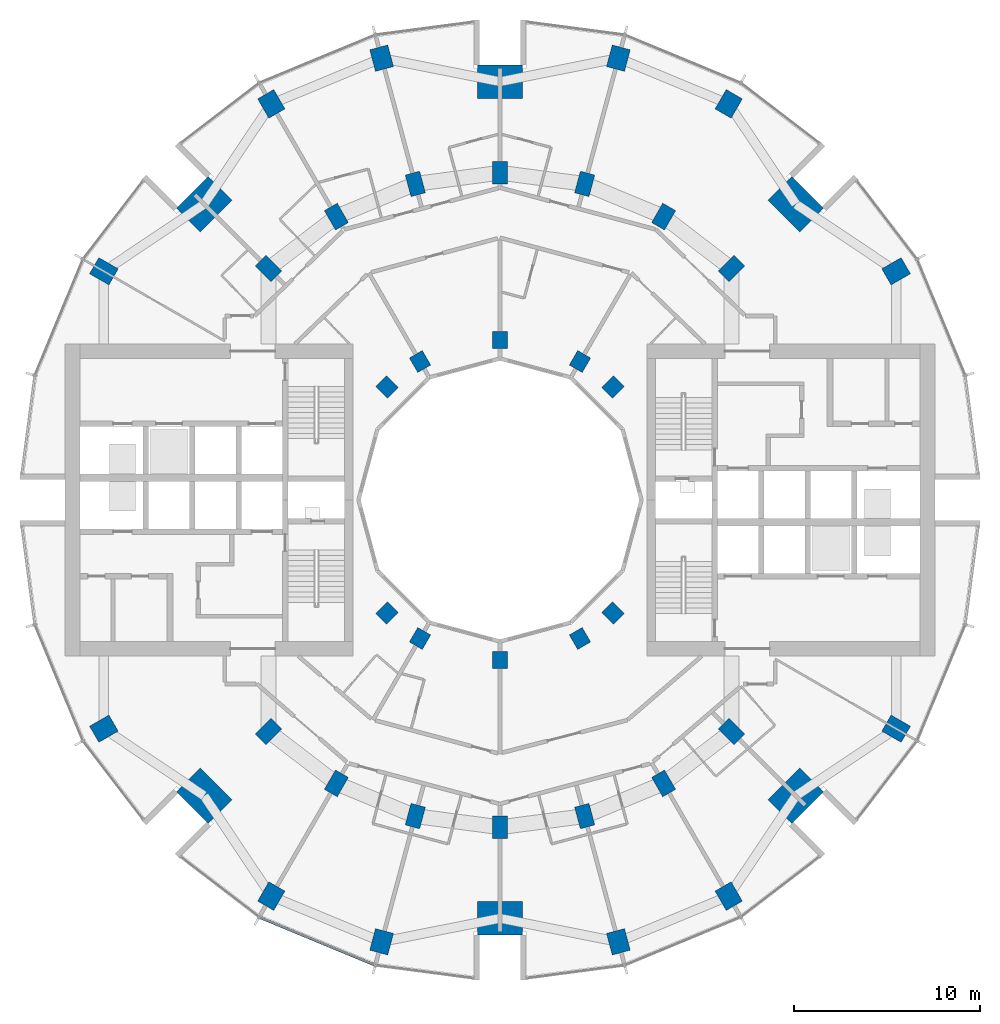
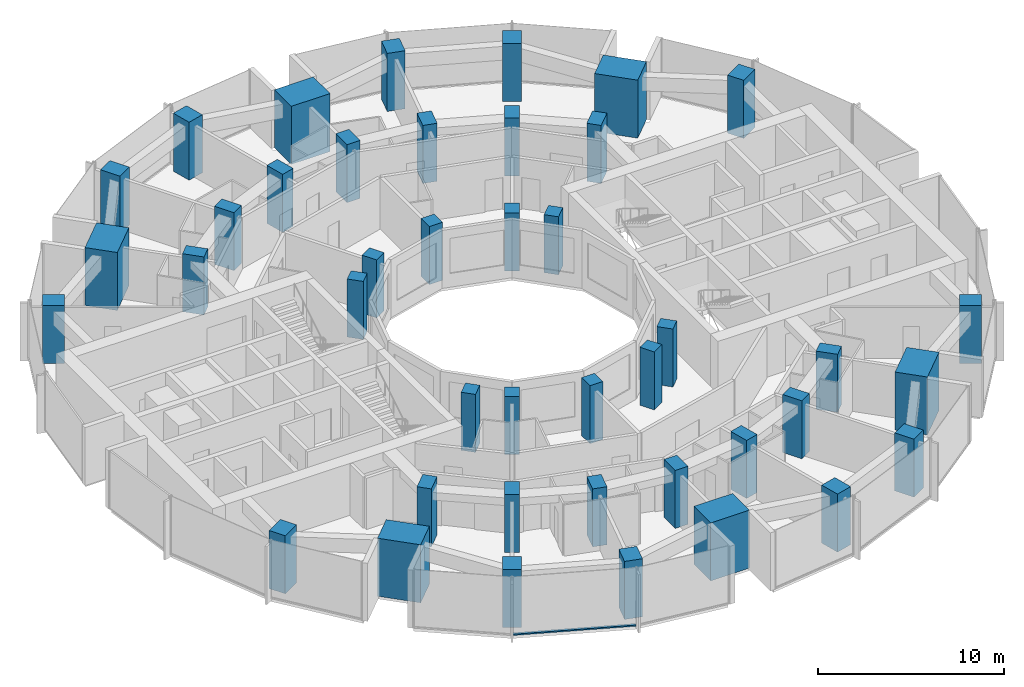
# One storey, part 1 of 15: 42 columns, 1 member, 1 element without a shape of its own.
"""IFC4 building model written with IfcOpenShell, lengths in metres."""

import ifcopenshell
import ifcopenshell.guid

model = None  # the IFC model being written
_history = None  # IfcOwnerHistory: only IFC2X3 demands one
_inside = {}  # id of a spatial element -> (the spatial element, [elements in it])
_under = {}  # id of a project, library or spatial element -> (it, [spatial elements below it])
_declared = {}  # id of a project -> (the project, [libraries it declares])
_typed = {}  # id of a type object -> (the type object, [elements of that type])
_made_of = {}  # id of a material, layer set ... -> (it, [elements and type objects made of it])


def new_model(schema):
    """Start an empty IFC model of exactly this schema.

    Asked for "IFC4X3", IfcOpenShell would pick the latest addendum, in which some entities
    have other attributes; the version numbers below select the first issue.
    IFC2X3 requires an IfcOwnerHistory on every rooted entity: one is made here for all.
    """
    global model, _history
    if schema == "IFC4X3":
        model = ifcopenshell.file(schema_version=(4, 3, 0, 0))
    else:
        model = ifcopenshell.file(schema=schema)
    _inside.clear()
    _under.clear()
    _declared.clear()
    _typed.clear()
    _made_of.clear()
    _history = None
    if model.schema == "IFC2X3":
        org = make("IfcOrganization", Name="unknown")
        user = make(
            "IfcPersonAndOrganization",
            ThePerson=make("IfcPerson", FamilyName="unknown"),
            TheOrganization=org,
        )
        app = make(
            "IfcApplication",
            ApplicationDeveloper=org,
            Version="unknown",
            ApplicationFullName="unknown",
            ApplicationIdentifier="unknown",
        )
        _history = make(
            "IfcOwnerHistory",
            OwningUser=user,
            OwningApplication=app,
            ChangeAction="ADDED",
            CreationDate=0,
        )
    return model


def make(cls, **values):
    """One entity of the class cls with the attributes given. An attribute that is None is left unset."""
    return model.create_entity(
        cls, **{name: value for name, value in values.items() if value is not None}
    )


def rooted(cls, **values):
    """An entity with a GlobalId (a new one), such as an element, a storey or a relation."""
    return make(cls, GlobalId=ifcopenshell.guid.new(), OwnerHistory=_history, **values)


def si_unit(unit_type, name, prefix=None):
    """IfcSIUnit, for example si_unit("LENGTHUNIT", "METRE", prefix="MILLI")."""
    return make("IfcSIUnit", UnitType=unit_type, Prefix=prefix, Name=name)


def assignment(units):
    """IfcUnitAssignment: the units of a project."""
    return None if units is None else make("IfcUnitAssignment", Units=units)


def point(xyz):
    """IfcCartesianPoint."""
    return None if xyz is None else make("IfcCartesianPoint", Coordinates=xyz)


def direction(xyz):
    """IfcDirection."""
    return None if xyz is None else make("IfcDirection", DirectionRatios=xyz)


def frame(location, z_axis=None, x_axis=None):
    """IfcAxis2Placement3D, a coordinate frame: its origin and axes. An axis left out is left unset."""
    return make(
        "IfcAxis2Placement3D",
        Location=point(location),
        Axis=direction(z_axis),
        RefDirection=direction(x_axis),
    )


def frame_2d(location, x_axis=None):
    """IfcAxis2Placement2D, a coordinate frame in the plane: its origin and x axis."""
    return make(
        "IfcAxis2Placement2D", Location=point(location), RefDirection=direction(x_axis)
    )


def origin():
    """The frame at (0, 0, 0) with its axes left unset."""
    return frame((0.0, 0.0, 0.0))


def origin_2d():
    """The frame at (0, 0) in the plane with its x axis left unset."""
    return frame_2d((0.0, 0.0))


def place(relative_to, where):
    """IfcLocalPlacement: puts the frame where relative to a parent placement (None: the world)."""
    return make(
        "IfcLocalPlacement", PlacementRelTo=relative_to, RelativePlacement=where
    )


def context(
    kind, dimensions, precision=None, world=None, true_north=None, identifier=None
):
    """IfcGeometricRepresentationContext, for example the 3D "Model" context."""
    return make(
        "IfcGeometricRepresentationContext",
        ContextIdentifier=identifier,
        ContextType=kind,
        CoordinateSpaceDimension=dimensions,
        Precision=precision,
        WorldCoordinateSystem=world,
        TrueNorth=true_north,
    )


def subcontext(parent, identifier, kind, view, scale=None):
    """IfcGeometricRepresentationSubContext, for example "Body" below "Model"."""
    return make(
        "IfcGeometricRepresentationSubContext",
        ContextIdentifier=identifier,
        ContextType=kind,
        ParentContext=parent,
        TargetScale=scale,
        TargetView=view,
    )


def project(units=None, contexts=None):
    """IfcProject with its units and contexts."""
    return rooted(
        "IfcProject",
        Name="project",
        RepresentationContexts=contexts,
        UnitsInContext=assignment(units),
    )


def spatial(cls, under=None, at=None, **own):
    """A site, building, storey or space (cls), placed at a placement, below another one or the project."""
    s = rooted(cls, ObjectPlacement=at, **own)
    if under is not None:
        _under.setdefault(under.id(), (under, []))[1].append(s)
    return s


def profile(cls, at=None, kind="AREA", **sizes):
    """A parametric profile (cls). Its sizes go by their IFC names, for example OverallWidth=200.0."""
    return make(cls, ProfileType=kind, Position=at, **sizes)


def rectangle(**sizes):
    """IfcRectangleProfileDef."""
    return profile("IfcRectangleProfileDef", **sizes)


def extrude(swept, where, along, depth):
    """IfcExtrudedAreaSolid: the profile swept, set in the frame where, extruded along a direction by depth."""
    return make(
        "IfcExtrudedAreaSolid",
        SweptArea=swept,
        Position=where,
        ExtrudedDirection=direction(along),
        Depth=depth,
    )


def shape(context_of_items, identifier, shape_type, items):
    """IfcShapeRepresentation: the items that make up one representation, for example the "Body"."""
    return make(
        "IfcShapeRepresentation",
        ContextOfItems=context_of_items,
        RepresentationIdentifier=identifier,
        RepresentationType=shape_type,
        Items=items,
    )


def material(Name=None, Category=None):
    """IfcMaterial."""
    return make("IfcMaterial", Name=Name, Category=Category)


def layer(
    of_material, thickness, ventilated=None, Name=None, Category=None, Priority=None
):
    """IfcMaterialLayer: one layer of a wall or slab, of a material (None: an air gap)."""
    return make(
        "IfcMaterialLayer",
        Material=of_material,
        LayerThickness=thickness,
        IsVentilated=ventilated,
        Name=Name,
        Category=Category,
        Priority=Priority,
    )


def layer_set(layers, Name=None):
    """IfcMaterialLayerSet."""
    return make("IfcMaterialLayerSet", MaterialLayers=layers, LayerSetName=Name)


def material_profile(
    of_material, cross_section, Name=None, Category=None, Priority=None
):
    """IfcMaterialProfile: a cross section and its material."""
    return make(
        "IfcMaterialProfile",
        Name=Name,
        Material=of_material,
        Profile=cross_section,
        Priority=Priority,
        Category=Category,
    )


def profile_set(profiles, Name=None, composite=None):
    """IfcMaterialProfileSet."""
    return make(
        "IfcMaterialProfileSet",
        Name=Name,
        MaterialProfiles=profiles,
        CompositeProfile=composite,
    )


def made_of(thing, what):
    """Note that an element or type object is made of a material, layer set ...; save() writes the relation."""
    if what is not None:
        _made_of.setdefault(what.id(), (what, []))[1].append(thing)
    return thing


def type_object(cls, material=None, **own):
    """A type object (cls), such as IfcWallType, which elements share."""
    return made_of(rooted(cls, **own), material)


def element(
    cls,
    number,
    at=None,
    inside=None,
    cuts=None,
    type_object=None,
    material=None,
    context=None,
    identifier="Body",
    shape_type=None,
    held_by="IfcProductDefinitionShape",
    body=None,
    shapes=None,
    **own,
):
    """One element of the class cls, such as IfcWall. Its Tag is "e" and its number.

    at: its placement. inside: the storey or other place that contains it. cuts: it is an
    opening in that element (IfcRelVoidsElement). A single representation is given by context,
    identifier, shape_type and body (its items); several are given by shapes. held_by: the class
    of the entity that holds the representations. save() writes the other relations.
    """
    e = rooted(cls, Tag="e%d" % number, ObjectPlacement=at, **own)
    if body is not None:
        shapes = [shape(context, identifier, shape_type, body)]
    if shapes is not None:
        e.Representation = make(held_by, Representations=shapes)
    if inside is not None:
        _inside.setdefault(inside.id(), (inside, []))[1].append(e)
    if cuts is not None:
        rooted(
            "IfcRelVoidsElement", RelatingBuildingElement=cuts, RelatedOpeningElement=e
        )
    if type_object is not None:
        _typed.setdefault(type_object.id(), (type_object, []))[1].append(e)
    return made_of(e, material)


def aggregate(whole, parts):
    """IfcRelAggregates: a whole, such as a stair, and the parts it consists of."""
    return rooted("IfcRelAggregates", RelatingObject=whole, RelatedObjects=parts)


def save(model, path):
    """Write the relations noted so far, then the file.

    IfcRelAggregates (storeys below a building ...), IfcRelContainedInSpatialStructure (elements
    in a storey), IfcRelDefinesByType, IfcRelAssociatesMaterial and IfcRelDeclares: one each for
    every whole, place, type object, material and project.
    """
    for whole, parts in _under.values():
        aggregate(whole, parts)
    for where, things in _inside.values():
        rooted(
            "IfcRelContainedInSpatialStructure",
            RelatedElements=things,
            RelatingStructure=where,
        )
    for kind, things in _typed.values():
        rooted("IfcRelDefinesByType", RelatedObjects=things, RelatingType=kind)
    for what, things in _made_of.values():
        rooted("IfcRelAssociatesMaterial", RelatedObjects=things, RelatingMaterial=what)
    for by, libraries in _declared.values():
        rooted("IfcRelDeclares", RelatingContext=by, RelatedDefinitions=libraries)
    model.write(path)


model = new_model("IFC4")

# Units and contexts
model_context = context("Model", 3, precision=1e-05, world=origin(), true_north=direction((0.0, 1.0)))
body_context = subcontext(model_context, "Body", "Model", "MODEL_VIEW")
ifc_project = project(units=[si_unit("LENGTHUNIT", "METRE"), si_unit("AREAUNIT", "SQUARE_METRE"), si_unit("VOLUMEUNIT", "CUBIC_METRE"), si_unit("PLANEANGLEUNIT", "RADIAN"), si_unit("MASSUNIT", "GRAM", prefix="KILO")], contexts=[model_context])

# Site, building, storey
site_placement = place(None, origin())
site = spatial("IfcSite", under=ifc_project, at=site_placement, CompositionType="ELEMENT")
building_placement = place(site_placement, origin())
building = spatial("IfcBuilding", under=site, at=building_placement, Name="Torre Brocal", CompositionType="ELEMENT")
storey_placement = place(building_placement, frame((0.0, 0.0, 70.60009765625)))
storey = spatial("IfcBuildingStorey", under=building, at=storey_placement, Name="L16", CompositionType="ELEMENT", Elevation=70.60009765625)

# Columns
ifc_material_1 = material(Name="Concrete C80", Category="concrete")
ifc_material_profile_1 = material_profile(ifc_material_1, rectangle(XDim=1.199951171875, YDim=1.0, at=origin_2d()), Name="RC 1200X1000")
ifc_profile_set_1 = profile_set([ifc_material_profile_1], Name="Concrete C80")
column_type_1 = type_object("IfcColumnType", Name="RC COLUMN 1200X1000 C80", PredefinedType="COLUMN", material=ifc_profile_set_1)
for number, where, z_axis, x_axis, name in (
    (1, (101.30419921875, 87.300048828125, 0.0), (0.0, 0.0, 1.0), (0.866025403784, 0.5, 0.0), "Column C-O02"),
    (2, (92.300048828125, 96.30419921875, 0.0), (0.0, 0.0, 1.0), (0.5, 0.866025403784, 0.0), "Column C-O04"),
    (3, (86.366943359375, 98.76171875, 0.0), (0.0, 0.0, 1.0), (0.258819045103, 0.965925826289, 0.0), "Column C-O05"),
    (4, (73.633056640625, 98.76171875, 0.0), (0.0, 0.0, 1.0), (-0.258819045103, 0.965925826289, 0.0), "Column C-O07"),
    (5, (67.699951171875, 96.30419921875, 0.0), (0.0, 0.0, 1.0), (-0.5, 0.866025403784, 0.0), "Column C-O08"),
    (6, (58.69580078125, 87.300048828125, 0.0), (0.0, 0.0, 1.0), (-0.866025403784, 0.5, 0.0), "Column C-O10"),
    (7, (58.69580078125, 62.699951171875, 0.0), (0.0, 0.0, 1.0), (-0.866025403784, -0.5, 0.0), "Column C-O14"),
    (8, (67.699951171875, 53.69580078125, 0.0), (0.0, 0.0, 1.0), (-0.5, -0.866025403784, 0.0), "Column C-O16"),
    (9, (73.633056640625, 51.23828125, 0.0), (0.0, 0.0, 1.0), (-0.258819045103, -0.965925826289, 0.0), "Column C-O17"),
    (10, (86.366943359375, 51.23828125, 0.0), (0.0, 0.0, 1.0), (0.258819045103, -0.965925826289, 0.0), "Column C-O19"),
    (11, (92.300048828125, 53.69580078125, 0.0), (0.0, 0.0, 1.0), (0.5, -0.866025403784, 0.0), "Column C-O20"),
    (12, (101.30419921875, 62.699951171875, 0.0), (0.0, 0.0, 1.0), (0.866025403784, -0.5, 0.0), "Column C-O22"),
):
    element("IfcColumn", number, at=place(storey_placement, frame(where, z_axis=z_axis, x_axis=x_axis)), inside=storey, type_object=column_type_1, Name=name, PredefinedType="COLUMN", context=body_context, shape_type="SweptSolid", body=[
        extrude(rectangle(XDim=1.199951171875, YDim=1.0, at=origin_2d()), origin(), (0.0, 0.0, 1.0), 3.7998046875),
    ])
ifc_material_2 = material(Name="Concrete C80", Category="concrete")
ifc_material_profile_2 = material_profile(ifc_material_2, rectangle(XDim=1.199951171875, YDim=0.800048828125, at=origin_2d()), Name="RC 1200X800")
ifc_profile_set_2 = profile_set([ifc_material_profile_2], Name="Concrete C80")
column_type_2 = type_object("IfcColumnType", Name="RC COLUMN 1200X800 C80", PredefinedType="COLUMN", material=ifc_profile_set_2)
for number, where, z_axis, x_axis, name in (
    (13, (92.445068359375, 87.445068359375, 0.0), (0.0, 0.0, 1.0), (0.707106781187, 0.707106781187, 0.0), "Column C-M03"),
    (14, (88.800048828125, 90.241943359375, 0.0), (0.0, 0.0, 1.0), (0.5, 0.866025403784, 0.0), "Column C-M04"),
    (15, (84.55517578125, 92.000244140625, 0.0), (0.0, 0.0, 1.0), (0.258819045103, 0.965925826289, 0.0), "Column C-M05"),
    (16, (80.0, 92.60009765625, 0.0), (0.0, 0.0, 1.0), (0.0, 1.0, 0.0), "Column C-M06"),
    (17, (75.44482421875, 92.000244140625, 0.0), (0.0, 0.0, 1.0), (-0.258819045103, 0.965925826289, 0.0), "Column C-M07"),
    (18, (71.199951171875, 90.241943359375, 0.0), (0.0, 0.0, 1.0), (-0.5, 0.866025403784, 0.0), "Column C-M08"),
    (19, (67.554931640625, 87.445068359375, 0.0), (0.0, 0.0, 1.0), (-0.707106781187, 0.707106781187, 0.0), "Column C-M09"),
    (20, (67.554931640625, 62.554931640625, 0.0), (0.0, 0.0, 1.0), (-0.707106781187, -0.707106781187, 0.0), "Column C-M15"),
    (21, (71.199951171875, 59.758056640625, 0.0), (0.0, 0.0, 1.0), (-0.5, -0.866025403784, 0.0), "Column C-M16"),
    (22, (75.44482421875, 57.999755859375, 0.0), (0.0, 0.0, 1.0), (-0.258819045103, -0.965925826289, 0.0), "Column C-M17"),
    (23, (80.0, 57.39990234375, 0.0), (0.0, 0.0, 1.0), (0.0, -1.0, 0.0), "Column C-M18"),
    (24, (84.55517578125, 57.999755859375, 0.0), (0.0, 0.0, 1.0), (0.258819045103, -0.965925826289, 0.0), "Column C-M19"),
    (25, (88.800048828125, 59.758056640625, 0.0), (0.0, 0.0, 1.0), (0.5, -0.866025403784, 0.0), "Column C-M20"),
    (26, (92.445068359375, 62.554931640625, 0.0), (0.0, 0.0, 1.0), (0.707106781187, -0.707106781187, 0.0), "Column C-M21"),
):
    element("IfcColumn", number, at=place(storey_placement, frame(where, z_axis=z_axis, x_axis=x_axis)), inside=storey, type_object=column_type_2, Name=name, PredefinedType="COLUMN", context=body_context, shape_type="SweptSolid", body=[
        extrude(rectangle(XDim=1.199951171875, YDim=0.800048828125, at=origin_2d()), origin(), (0.0, 0.0, 1.0), 3.7998046875),
    ])
ifc_material_3 = material(Name="Concrete C80", Category="concrete")
ifc_material_profile_3 = material_profile(ifc_material_3, rectangle(XDim=1.800048828125, YDim=2.39990234375, at=origin_2d()), Name="RC 1800X2400")
ifc_profile_set_3 = profile_set([ifc_material_profile_3], Name="Concrete C80")
column_type_3 = type_object("IfcColumnType", Name="RC COLUMN 1800X2400 C80", PredefinedType="COLUMN", material=ifc_profile_set_3)
for number, where, z_axis, x_axis, name in (
    (27, (95.909912109375, 90.909912109375, 0.0), (0.0, 0.0, 1.0), (0.707106781187, 0.707106781187, 0.0), "Column MC-1"),
    (28, (80.0, 97.5, 0.0), (0.0, 0.0, 1.0), (0.0, 1.0, 0.0), "Column MC-2"),
    (29, (64.090087890625, 90.909912109375, 0.0), (0.0, 0.0, 1.0), (-0.707106781187, 0.707106781187, 0.0), "Column MC-3"),
    (30, (64.090087890625, 59.090087890625, 0.0), (0.0, 0.0, 1.0), (-0.707106781187, -0.707106781187, 0.0), "Column MC-5"),
    (31, (80.0, 52.5, 0.0), (0.0, 0.0, 1.0), (0.0, -1.0, 0.0), "Column MC-6"),
    (32, (95.909912109375, 59.090087890625, 0.0), (0.0, 0.0, 1.0), (0.707106781187, -0.707106781187, 0.0), "Column MC-7"),
):
    element("IfcColumn", number, at=place(storey_placement, frame(where, z_axis=z_axis, x_axis=x_axis)), inside=storey, type_object=column_type_3, Name=name, PredefinedType="COLUMN", context=body_context, shape_type="SweptSolid", body=[
        extrude(rectangle(XDim=1.800048828125, YDim=2.39990234375, at=origin_2d()), origin(), (0.0, 0.0, 1.0), 3.7998046875),
    ])
ifc_material_4 = material(Name="Concrete C80", Category="concrete")
ifc_material_profile_4 = material_profile(ifc_material_4, rectangle(XDim=0.89990234375, YDim=0.800048828125, at=origin_2d()), Name="RC 900X800")
ifc_profile_set_4 = profile_set([ifc_material_profile_4], Name="Concrete C80")
column_type_4 = type_object("IfcColumnType", Name="RC COLUMN 900X800 C80", PredefinedType="COLUMN", material=ifc_profile_set_4)
for number, where, z_axis, x_axis, name in (
    (33, (86.0810546875, 81.0810546875, 0.0), (0.0, 0.0, 1.0), (0.707106781187, 0.707106781187, 0.0), "Column C-I03"),
    (34, (84.300048828125, 82.44775390625, 0.0), (0.0, 0.0, 1.0), (0.5, 0.866025403784, 0.0), "Column C-I04"),
    (35, (80.0, 83.60009765625, 0.0), (0.0, 0.0, 1.0), (0.0, 1.0, 0.0), "Column C-I06"),
    (36, (75.699951171875, 82.44775390625, 0.0), (0.0, 0.0, 1.0), (-0.5, 0.866025403784, 0.0), "Column C-I08"),
    (37, (73.9189453125, 81.0810546875, 0.0), (0.0, 0.0, 1.0), (-0.707106781187, 0.707106781187, 0.0), "Column C-I09"),
    (38, (73.9189453125, 68.9189453125, 0.0), (0.0, 0.0, 1.0), (-0.707106781187, -0.707106781187, 0.0), "Column C-I15"),
    (39, (75.699951171875, 67.55224609375, 0.0), (0.0, 0.0, 1.0), (-0.5, -0.866025403784, 0.0), "Column C-I16"),
    (40, (80.0, 66.39990234375, 0.0), (0.0, 0.0, 1.0), (0.0, -1.0, 0.0), "Column C-I18"),
    (41, (84.300048828125, 67.55224609375, 0.0), (0.0, 0.0, 1.0), (0.5, -0.866025403784, 0.0), "Column C-I20"),
    (42, (86.0810546875, 68.9189453125, 0.0), (0.0, 0.0, 1.0), (0.707106781187, -0.707106781187, 0.0), "Column C-I21"),
):
    element("IfcColumn", number, at=place(storey_placement, frame(where, z_axis=z_axis, x_axis=x_axis)), inside=storey, type_object=column_type_4, Name=name, PredefinedType="COLUMN", context=body_context, shape_type="SweptSolid", body=[
        extrude(rectangle(XDim=0.89990234375, YDim=0.800048828125, at=origin_2d()), origin(), (0.0, 0.0, 1.0), 3.7998046875),
    ])

# Curtain wall, member
ifc_material_5 = material(Name="Aluminium and glass", Category="aluminium")
ifc_layer = layer(ifc_material_5, 0.199951171875)
ifc_layer_set = layer_set([ifc_layer], Name="Aluminium and glass")
curtain_wall_type = type_object("IfcCurtainWallType", Name="CW-1 CURTAIN WALL 3800 HIGH", PredefinedType="NOTDEFINED", material=ifc_layer_set)
curtain_wall_placement = place(storey_placement, origin())
curtain_wall = element("IfcCurtainWall", 43, at=curtain_wall_placement, inside=storey, type_object=curtain_wall_type, Name="CW-1 RUN 17", PredefinedType="NOTDEFINED")
ifc_material_6 = material(Name="Aluminium, dark anodised", Category="aluminium")
ifc_material_profile_5 = material_profile(ifc_material_6, rectangle(XDim=0.159912109375, YDim=0.080078125, at=origin_2d()), Name="CW-1 TRANSOM 160X80")
ifc_profile_set_5 = profile_set([ifc_material_profile_5], Name="Aluminium, dark anodised")
member_type = type_object("IfcMemberType", Name="CW-1 TRANSOM 160X80", PredefinedType="USERDEFINED", material=ifc_profile_set_5)
member_placement = place(storey_placement, frame((67.10595703125, 52.547607421875, 0.039794921875), z_axis=(0.923887344364, -0.38266457234, 0.0), x_axis=(0.38266457234, 0.923887344364, 0.0)))
member = element("IfcMember", 44, at=member_placement, type_object=member_type, Name="CW1-1 transom 1.1", ObjectType="TRANSOM", PredefinedType="USERDEFINED", context=body_context, shape_type="SweptSolid", body=[
    extrude(rectangle(XDim=0.159912109375, YDim=0.080078125, at=origin_2d()), origin(), (0.0, 0.0, 1.0), 6.640869140625),
])
aggregate(curtain_wall, [member])

save(model, "model.ifc")
